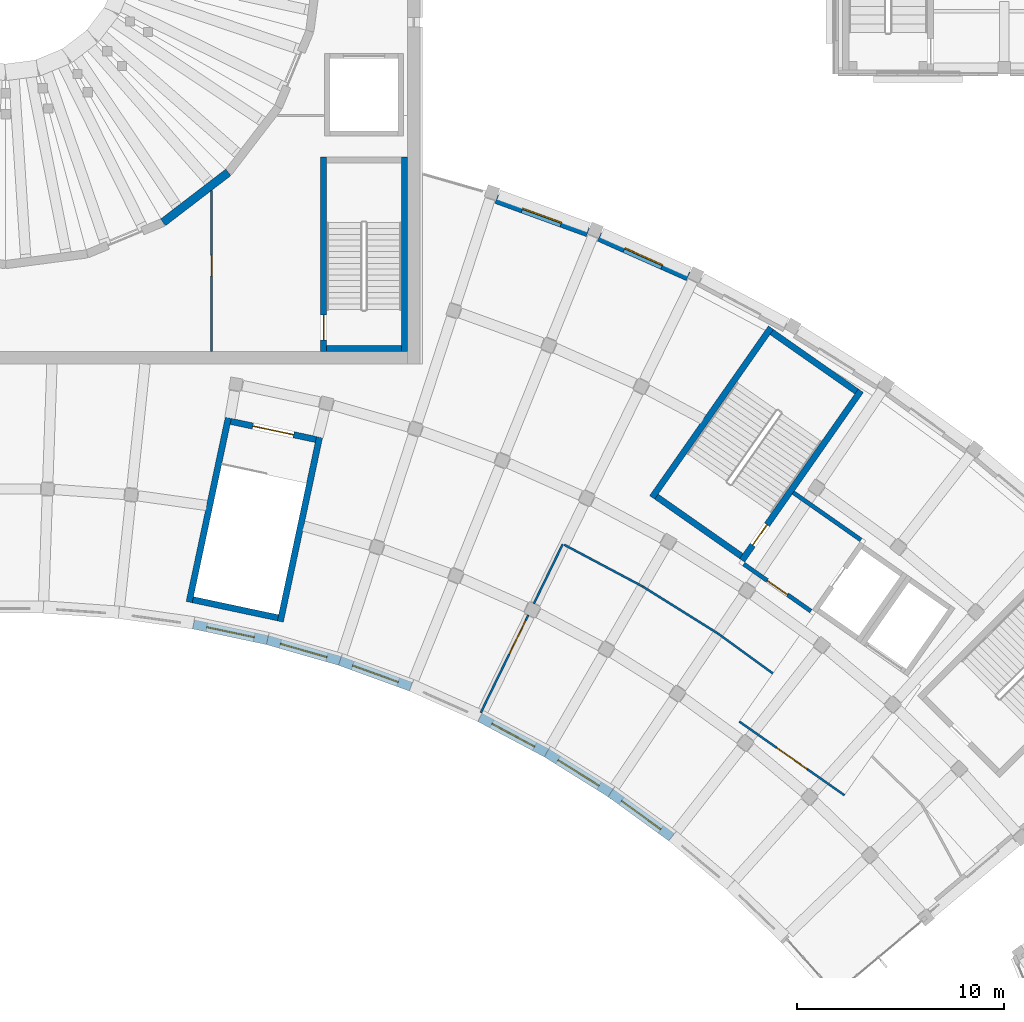
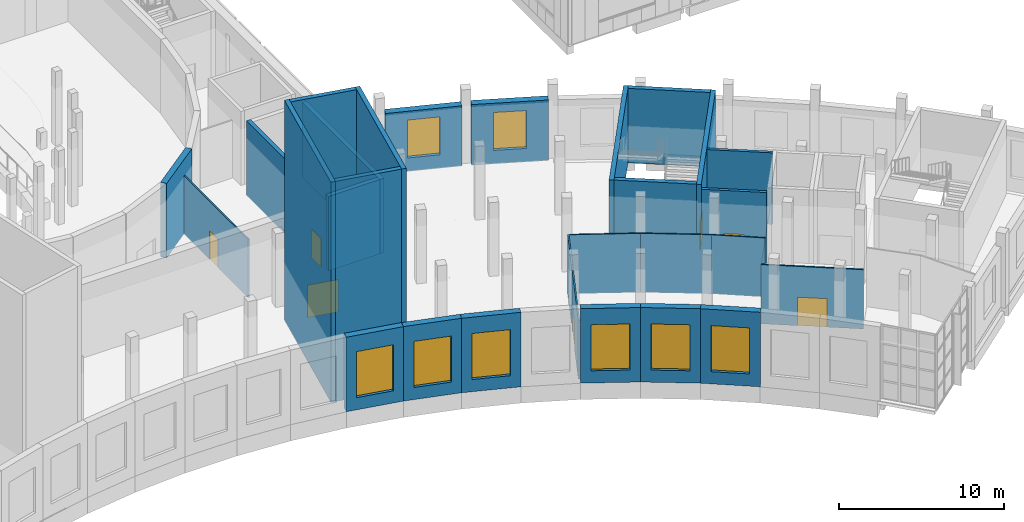
# One storey, part 34 of 87: 29 walls, 8 windows, 7 doors, 15 openings.
"""IFC4 building model written with IfcOpenShell, lengths in metres."""

from ifc_helpers import new_model, si_unit, direction, frame, frame_2d, origin, place, context, subcontext, project, spatial, rectangle, extrude, material, layer, layer_set, type_object, element, fill, save


model = new_model("IFC4")

# Units and contexts
model_context = context("Model", 3, precision=1e-05, world=origin(), true_north=direction((0.0, 1.0)))
body_context = subcontext(model_context, "Body", "Model", "MODEL_VIEW")
ifc_project = project(units=[si_unit("LENGTHUNIT", "METRE"), si_unit("AREAUNIT", "SQUARE_METRE"), si_unit("VOLUMEUNIT", "CUBIC_METRE"), si_unit("PLANEANGLEUNIT", "RADIAN"), si_unit("MASSUNIT", "GRAM", prefix="KILO")], contexts=[model_context])

# Site, building, storey
site_placement = place(None, origin())
site = spatial("IfcSite", under=ifc_project, at=site_placement, CompositionType="ELEMENT")
building_placement = place(site_placement, origin())
building = spatial("IfcBuilding", under=site, at=building_placement, Name="Lunette Opera House", CompositionType="ELEMENT")
storey_placement = place(building_placement, frame((0.0, 0.0, 11.5)))
storey = spatial("IfcBuildingStorey", under=building, at=storey_placement, Name="L02", CompositionType="ELEMENT", Elevation=11.5)

# Wall, opening, window
ifc_material_1 = material(Name="Clinker brick", Category="masonry")
ifc_layer_1 = layer(ifc_material_1, 0.449951171875)
ifc_layer_set_1 = layer_set([ifc_layer_1], Name="Clinker brick")
wall_type_1 = type_object("IfcWallType", Name="ARM RAIN SCREEN WALL 450", PredefinedType="SOLIDWALL", material=ifc_layer_set_1)
wall_1_placement = place(storey_placement, frame((119.697998046875, 71.962890625, 0.0), z_axis=(0.0, 0.0, 1.0), x_axis=(0.939752366856, -0.341855947715, 0.0)))
wall_1 = element("IfcWall", 1, at=wall_1_placement, inside=storey, type_object=wall_type_1, Name="Arm Rain Screen Wall 450 BW-CE01 L02", PredefinedType="SOLIDWALL", context=body_context, shape_type="SweptSolid", body=[
    extrude(rectangle(XDim=4.6884765625, YDim=0.449951171875, at=frame_2d((2.34423828125, 0.0))), origin(), (0.0, 0.0, 1.0), 4.449951171875),
])
opening_1_placement = place(wall_1_placement, frame((1.343994140625, 0.0, 1.0)))
opening_1 = element("IfcOpeningElement", 2, at=opening_1_placement, cuts=wall_1, Name="Opening FC-N2144", PredefinedType="OPENING", context=body_context, shape_type="SweptSolid", body=[
    extrude(rectangle(XDim=2.0, YDim=2.800048828125, at=frame_2d((1.0, 1.39990234375))), frame((0.0, 0.237060546875, 0.0), z_axis=(0.0, -1.0, 0.0), x_axis=(1.0, 0.0, 0.0)), (0.0, 0.0, 1.0), 0.473876953125),
])
ifc_material_2 = material(Name="Aluminium", Category="aluminium")
window_type_1 = type_object("IfcWindowType", Name="ARM WINDOW 2000 X 2800", PartitioningType="DOUBLE_PANEL_VERTICAL", PredefinedType="WINDOW", material=ifc_material_2)
window_1_placement = place(opening_1_placement, origin())
window_1 = element("IfcWindow", 3, at=window_1_placement, inside=storey, type_object=window_type_1, Name="Arm Window 2000 X 2800 BW-CE01 L02", OverallHeight=2.800048828125, OverallWidth=2.0, PartitioningType="DOUBLE_PANEL_VERTICAL", PredefinedType="WINDOW", context=body_context, shape_type="SweptSolid", body=[
    extrude(rectangle(XDim=2.0, YDim=2.800048828125, at=frame_2d((1.0, 1.39990234375))), frame((0.0, 0.030029296875, 0.0), z_axis=(0.0, -1.0, 0.0), x_axis=(1.0, 0.0, 0.0)), (0.0, 0.0, 1.0), 0.06005859375),
])
fill(opening_1, window_1)

wall_2_placement = place(storey_placement, frame((124.659912109375, 70.135009765625, 0.0), z_axis=(0.0, 0.0, 1.0), x_axis=(0.913581686159, -0.406655262741, 0.0)))
wall_2 = element("IfcWall", 4, at=wall_2_placement, inside=storey, type_object=wall_type_1, Name="Arm Rain Screen Wall 450 BW-CE02 L02", PredefinedType="SOLIDWALL", context=body_context, shape_type="SweptSolid", body=[
    extrude(rectangle(XDim=4.689453125, YDim=0.449951171875, at=frame_2d((2.3447265625, 0.0))), origin(), (0.0, 0.0, 1.0), 4.47998046875),
])
opening_2_placement = place(wall_2_placement, frame((1.344970703125, 0.0, 1.0)))
opening_2 = element("IfcOpeningElement", 5, at=opening_2_placement, cuts=wall_2, Name="Opening FC-N2147", PredefinedType="OPENING", context=body_context, shape_type="SweptSolid", body=[
    extrude(rectangle(XDim=2.0, YDim=2.800048828125, at=frame_2d((1.0, 1.39990234375))), frame((0.0, 0.237060546875, 0.0), z_axis=(0.0, -1.0, 0.0), x_axis=(1.0, 0.0, 0.0)), (0.0, 0.0, 1.0), 0.473876953125),
])
window_2_placement = place(opening_2_placement, origin())
window_2 = element("IfcWindow", 6, at=window_2_placement, inside=storey, type_object=window_type_1, Name="Arm Window 2000 X 2800 BW-CE02 L02", OverallHeight=2.800048828125, OverallWidth=2.0, PartitioningType="DOUBLE_PANEL_VERTICAL", PredefinedType="WINDOW", context=body_context, shape_type="SweptSolid", body=[
    extrude(rectangle(XDim=2.0, YDim=2.800048828125, at=frame_2d((1.0, 1.39990234375))), frame((0.0, 0.030029296875, 0.0), z_axis=(0.0, -1.0, 0.0), x_axis=(1.0, 0.0, 0.0)), (0.0, 0.0, 1.0), 0.06005859375),
])
fill(opening_2, window_2)

ifc_material_3 = material(Name="Clinker brick", Category="masonry")
ifc_layer_2 = layer(ifc_material_3, 0.449951171875)
ifc_layer_set_2 = layer_set([ifc_layer_2], Name="Clinker brick")
wall_type_2 = type_object("IfcWallType", Name="CRESCENT BRICK WALL 450", PredefinedType="SOLIDWALL", material=ifc_layer_set_2)
wall_3_placement = place(storey_placement, frame((105.069091796875, 51.431884765625, 0.0), z_axis=(0.0, 0.0, 1.0), x_axis=(0.97814420729, -0.207927655077, 0.0)))
wall_3 = element("IfcWall", 7, at=wall_3_placement, inside=storey, type_object=wall_type_2, Name="Crescent Brick Wall 450 BW-A15 L02", PredefinedType="SOLIDWALL", context=body_context, shape_type="SweptSolid", body=[
    extrude(rectangle(XDim=3.64453125, YDim=0.449951171875, at=frame_2d((1.822265625, 0.0))), origin(), (0.0, 0.0, 1.0), 5.5),
])
opening_3_placement = place(wall_3_placement, frame((0.653076171875, 0.0, 0.89990234375)))
opening_3 = element("IfcOpeningElement", 8, at=opening_3_placement, cuts=wall_3, Name="Opening FC-N2043", PredefinedType="OPENING", context=body_context, shape_type="SweptSolid", body=[
    extrude(rectangle(XDim=2.340087890625, YDim=3.39990234375, at=frame_2d((1.169921875, 1.699951171875))), frame((0.0, 0.237060546875, 0.0), z_axis=(0.0, -1.0, 0.0), x_axis=(1.0, 0.0, 0.0)), (0.0, 0.0, 1.0), 0.473876953125),
])
ifc_material_4 = material(Name="Aluminium", Category="aluminium")
window_type_2 = type_object("IfcWindowType", Name="CHICAGO WINDOW 2340 X 3400", PartitioningType="TRIPLE_PANEL_VERTICAL", PredefinedType="WINDOW", material=ifc_material_4)
window_3_placement = place(opening_3_placement, origin())
window_3 = element("IfcWindow", 9, at=window_3_placement, inside=storey, type_object=window_type_2, Name="Chicago Window 2340 X 3400 BW-A15 L02", OverallHeight=3.39990234375, OverallWidth=2.340087890625, PartitioningType="TRIPLE_PANEL_VERTICAL", PredefinedType="WINDOW", context=body_context, shape_type="SweptSolid", body=[
    extrude(rectangle(XDim=2.340087890625, YDim=3.39990234375, at=frame_2d((1.169921875, 1.699951171875))), frame((0.0, 0.030029296875, 0.0), z_axis=(0.0, -1.0, 0.0), x_axis=(1.0, 0.0, 0.0)), (0.0, 0.0, 1.0), 0.06005859375),
])
fill(opening_3, window_3)

wall_4_placement = place(storey_placement, frame((108.634033203125, 50.674072265625, 0.0), z_axis=(0.0, 0.0, 1.0), x_axis=(0.961232761004, -0.275738243942, 0.0)))
wall_4 = element("IfcWall", 10, at=wall_4_placement, inside=storey, type_object=wall_type_2, Name="Crescent Brick Wall 450 BW-A16 L02", PredefinedType="SOLIDWALL", context=body_context, shape_type="SweptSolid", body=[
    extrude(rectangle(XDim=3.645263671875, YDim=0.449951171875, at=frame_2d((1.82275390625, 0.0))), origin(), (0.0, 0.0, 1.0), 5.5),
])
opening_4_placement = place(wall_4_placement, frame((0.653076171875, 0.0, 0.89990234375)))
opening_4 = element("IfcOpeningElement", 11, at=opening_4_placement, cuts=wall_4, Name="Opening FC-N2046", PredefinedType="OPENING", context=body_context, shape_type="SweptSolid", body=[
    extrude(rectangle(XDim=2.340087890625, YDim=3.39990234375, at=frame_2d((1.169921875, 1.699951171875))), frame((0.0, 0.237060546875, 0.0), z_axis=(0.0, -1.0, 0.0), x_axis=(1.0, 0.0, 0.0)), (0.0, 0.0, 1.0), 0.473876953125),
])
window_4_placement = place(opening_4_placement, origin())
window_4 = element("IfcWindow", 12, at=window_4_placement, inside=storey, type_object=window_type_2, Name="Chicago Window 2340 X 3400 BW-A16 L02", OverallHeight=3.39990234375, OverallWidth=2.340087890625, PartitioningType="TRIPLE_PANEL_VERTICAL", PredefinedType="WINDOW", context=body_context, shape_type="SweptSolid", body=[
    extrude(rectangle(XDim=2.340087890625, YDim=3.39990234375, at=frame_2d((1.169921875, 1.699951171875))), frame((0.0, 0.030029296875, 0.0), z_axis=(0.0, -1.0, 0.0), x_axis=(1.0, 0.0, 0.0)), (0.0, 0.0, 1.0), 0.06005859375),
])
fill(opening_4, window_4)

wall_5_placement = place(storey_placement, frame((112.137939453125, 49.6689453125, 0.0), z_axis=(0.0, 0.0, 1.0), x_axis=(0.939705410483, -0.341985001877, 0.0)))
wall_5 = element("IfcWall", 13, at=wall_5_placement, inside=storey, type_object=wall_type_2, Name="Crescent Brick Wall 450 BW-A17 L02", PredefinedType="SOLIDWALL", context=body_context, shape_type="SweptSolid", body=[
    extrude(rectangle(XDim=3.645751953125, YDim=0.449951171875, at=frame_2d((1.82275390625, 0.0))), origin(), (0.0, 0.0, 1.0), 5.5),
])
opening_5_placement = place(wall_5_placement, frame((0.653076171875, 0.0, 0.89990234375)))
opening_5 = element("IfcOpeningElement", 14, at=opening_5_placement, cuts=wall_5, Name="Opening FC-N2049", PredefinedType="OPENING", context=body_context, shape_type="SweptSolid", body=[
    extrude(rectangle(XDim=2.340087890625, YDim=3.39990234375, at=frame_2d((1.169921875, 1.699951171875))), frame((0.0, 0.237060546875, 0.0), z_axis=(0.0, -1.0, 0.0), x_axis=(1.0, 0.0, 0.0)), (0.0, 0.0, 1.0), 0.473876953125),
])
window_5_placement = place(opening_5_placement, origin())
window_5 = element("IfcWindow", 15, at=window_5_placement, inside=storey, type_object=window_type_2, Name="Chicago Window 2340 X 3400 BW-A17 L02", OverallHeight=3.39990234375, OverallWidth=2.340087890625, PartitioningType="TRIPLE_PANEL_VERTICAL", PredefinedType="WINDOW", context=body_context, shape_type="SweptSolid", body=[
    extrude(rectangle(XDim=2.340087890625, YDim=3.39990234375, at=frame_2d((1.169921875, 1.699951171875))), frame((0.0, 0.030029296875, 0.0), z_axis=(0.0, -1.0, 0.0), x_axis=(1.0, 0.0, 0.0)), (0.0, 0.0, 1.0), 0.06005859375),
])
fill(opening_5, window_5)

wall_6_placement = place(storey_placement, frame((118.89404296875, 46.93994140625, 0.0), z_axis=(0.0, 0.0, 1.0), x_axis=(0.882849344925, -0.469656293651, 0.0)))
wall_6 = element("IfcWall", 16, at=wall_6_placement, inside=storey, type_object=wall_type_2, Name="Crescent Brick Wall 450 BW-A19 L02", PredefinedType="SOLIDWALL", context=body_context, shape_type="SweptSolid", body=[
    extrude(rectangle(XDim=3.64501953125, YDim=0.449951171875, at=frame_2d((1.822509765625, 0.0))), origin(), (0.0, 0.0, 1.0), 5.5),
])
opening_6_placement = place(wall_6_placement, frame((0.653076171875, 0.0, 0.89990234375)))
opening_6 = element("IfcOpeningElement", 17, at=opening_6_placement, cuts=wall_6, Name="Opening FC-N2055", PredefinedType="OPENING", context=body_context, shape_type="SweptSolid", body=[
    extrude(rectangle(XDim=2.340087890625, YDim=3.39990234375, at=frame_2d((1.169921875, 1.699951171875))), frame((0.0, 0.237060546875, 0.0), z_axis=(0.0, -1.0, 0.0), x_axis=(1.0, 0.0, 0.0)), (0.0, 0.0, 1.0), 0.473876953125),
])
window_6_placement = place(opening_6_placement, origin())
window_6 = element("IfcWindow", 18, at=window_6_placement, inside=storey, type_object=window_type_2, Name="Chicago Window 2340 X 3400 BW-A19 L02", OverallHeight=3.39990234375, OverallWidth=2.340087890625, PartitioningType="TRIPLE_PANEL_VERTICAL", PredefinedType="WINDOW", context=body_context, shape_type="SweptSolid", body=[
    extrude(rectangle(XDim=2.340087890625, YDim=3.39990234375, at=frame_2d((1.169921875, 1.699951171875))), frame((0.0, 0.030029296875, 0.0), z_axis=(0.0, -1.0, 0.0), x_axis=(1.0, 0.0, 0.0)), (0.0, 0.0, 1.0), 0.06005859375),
])
fill(opening_6, window_6)

wall_7_placement = place(storey_placement, frame((122.112060546875, 45.22802734375, 0.0), z_axis=(0.0, 0.0, 1.0), x_axis=(0.848047203697, -0.529920692464, 0.0)))
wall_7 = element("IfcWall", 19, at=wall_7_placement, inside=storey, type_object=wall_type_2, Name="Crescent Brick Wall 450 BW-A20 L02", PredefinedType="SOLIDWALL", context=body_context, shape_type="SweptSolid", body=[
    extrude(rectangle(XDim=3.64599609375, YDim=0.449951171875, at=frame_2d((1.822998046875, 0.0))), origin(), (0.0, 0.0, 1.0), 5.5),
])
opening_7_placement = place(wall_7_placement, frame((0.653076171875, 0.0, 0.89990234375)))
opening_7 = element("IfcOpeningElement", 20, at=opening_7_placement, cuts=wall_7, Name="Opening FC-N2058", PredefinedType="OPENING", context=body_context, shape_type="SweptSolid", body=[
    extrude(rectangle(XDim=2.340087890625, YDim=3.39990234375, at=frame_2d((1.169921875, 1.699951171875))), frame((0.0, 0.237060546875, 0.0), z_axis=(0.0, -1.0, 0.0), x_axis=(1.0, 0.0, 0.0)), (0.0, 0.0, 1.0), 0.473876953125),
])
window_7_placement = place(opening_7_placement, origin())
window_7 = element("IfcWindow", 21, at=window_7_placement, inside=storey, type_object=window_type_2, Name="Chicago Window 2340 X 3400 BW-A20 L02", OverallHeight=3.39990234375, OverallWidth=2.340087890625, PartitioningType="TRIPLE_PANEL_VERTICAL", PredefinedType="WINDOW", context=body_context, shape_type="SweptSolid", body=[
    extrude(rectangle(XDim=2.340087890625, YDim=3.39990234375, at=frame_2d((1.169921875, 1.699951171875))), frame((0.0, 0.030029296875, 0.0), z_axis=(0.0, -1.0, 0.0), x_axis=(1.0, 0.0, 0.0)), (0.0, 0.0, 1.0), 0.06005859375),
])
fill(opening_7, window_7)

wall_8_placement = place(storey_placement, frame((125.2041015625, 43.2958984375, 0.0), z_axis=(0.0, 0.0, 1.0), x_axis=(0.809109587744, -0.58765778734, 0.0)))
wall_8 = element("IfcWall", 22, at=wall_8_placement, inside=storey, type_object=wall_type_2, Name="Crescent Brick Wall 450 BW-A21 L02", PredefinedType="SOLIDWALL", context=body_context, shape_type="SweptSolid", body=[
    extrude(rectangle(XDim=3.644775390625, YDim=0.449951171875, at=frame_2d((1.822265625, 0.0))), origin(), (0.0, 0.0, 1.0), 5.5),
])
opening_8_placement = place(wall_8_placement, frame((0.653076171875, 0.0, 0.89990234375)))
opening_8 = element("IfcOpeningElement", 23, at=opening_8_placement, cuts=wall_8, Name="Opening FC-N2061", PredefinedType="OPENING", context=body_context, shape_type="SweptSolid", body=[
    extrude(rectangle(XDim=2.340087890625, YDim=3.39990234375, at=frame_2d((1.169921875, 1.699951171875))), frame((0.0, 0.237060546875, 0.0), z_axis=(0.0, -1.0, 0.0), x_axis=(1.0, 0.0, 0.0)), (0.0, 0.0, 1.0), 0.473876953125),
])
window_8_placement = place(opening_8_placement, origin())
window_8 = element("IfcWindow", 24, at=window_8_placement, inside=storey, type_object=window_type_2, Name="Chicago Window 2340 X 3400 BW-A21 L02", OverallHeight=3.39990234375, OverallWidth=2.340087890625, PartitioningType="TRIPLE_PANEL_VERTICAL", PredefinedType="WINDOW", context=body_context, shape_type="SweptSolid", body=[
    extrude(rectangle(XDim=2.340087890625, YDim=3.39990234375, at=frame_2d((1.169921875, 1.699951171875))), frame((0.0, 0.030029296875, 0.0), z_axis=(0.0, -1.0, 0.0), x_axis=(1.0, 0.0, 0.0)), (0.0, 0.0, 1.0), 0.06005859375),
])
fill(opening_8, window_8)

# Wall, opening, door
ifc_material_5 = material(Name="Concrete C35/45", Category="concrete")
ifc_layer_3 = layer(ifc_material_5, 0.199951171875)
ifc_layer_set_3 = layer_set([ifc_layer_3], Name="Concrete C35/45")
wall_type_3 = type_object("IfcWallType", Name="LOBBY WALL 200", PredefinedType="PARTITIONING", material=ifc_layer_set_3)
wall_9_placement = place(storey_placement, frame((131.632080078125, 54.340087890625, 0.0), z_axis=(0.0, 0.0, 1.0), x_axis=(0.81911891796, -0.573623742744, 0.0)))
wall_9 = element("IfcWall", 25, at=wall_9_placement, inside=storey, type_object=wall_type_3, Name="FL1 lobby wall 1a", PredefinedType="PARTITIONING", context=body_context, shape_type="SweptSolid", body=[
    extrude(rectangle(XDim=3.958984375, YDim=0.199951171875, at=frame_2d((1.9794921875, 0.0))), origin(), (0.0, 0.0, 1.0), 5.280029296875),
])
opening_9_placement = place(wall_9_placement, frame((1.3798828125, 0.0, 0.0)))
opening_9 = element("IfcOpeningElement", 26, at=opening_9_placement, cuts=wall_9, Name="Opening FC-D7040", PredefinedType="OPENING", context=body_context, shape_type="SweptSolid", body=[
    extrude(rectangle(XDim=1.199951171875, YDim=2.10009765625, at=frame_2d((0.60009765625, 1.050048828125))), frame((0.0, 0.112060546875, 0.0), z_axis=(0.0, -1.0, 0.0), x_axis=(1.0, 0.0, 0.0)), (0.0, 0.0, 1.0), 0.223876953125),
])
ifc_material_6 = material(Name="Steel", Category="steel")
door_type_1 = type_object("IfcDoorType", Name="FIRE DOOR 1200 X 2100", OperationType="SINGLE_SWING_LEFT", PredefinedType="DOOR", material=ifc_material_6)
door_1_placement = place(opening_9_placement, origin())
door_1 = element("IfcDoor", 27, at=door_1_placement, inside=storey, type_object=door_type_1, Name="FL1 lobby door", OperationType="SINGLE_SWING_LEFT", OverallHeight=2.10009765625, OverallWidth=1.199951171875, PredefinedType="DOOR", context=body_context, shape_type="SweptSolid", body=[
    extrude(rectangle(XDim=1.199951171875, YDim=2.10009765625, at=frame_2d((0.60009765625, 1.050048828125))), frame((0.0, 0.02490234375, 0.0), z_axis=(0.0, -1.0, 0.0), x_axis=(1.0, 0.0, 0.0)), (0.0, 0.0, 1.0), 0.050048828125),
])
fill(opening_9, door_1)

# Walls
wall_10_placement = place(storey_placement, frame((137.284912109375, 55.508056640625, 0.0), z_axis=(0.0, 0.0, 1.0), x_axis=(-0.819125561737, 0.573614255497, 0.0)))
element("IfcWall", 28, at=wall_10_placement, inside=storey, type_object=wall_type_3, Name="FL1 lobby wall 3a", PredefinedType="PARTITIONING", context=body_context, shape_type="SweptSolid", body=[
    extrude(rectangle(XDim=3.990478515625, YDim=0.199951171875, at=frame_2d((1.9951171875, 0.0))), origin(), (0.0, 0.0, 1.0), 5.280029296875),
])
ifc_material_7 = material(Name="Concrete C35/45", Category="concrete")
ifc_layer_4 = layer(ifc_material_7, 0.300048828125)
ifc_layer_set_4 = layer_set([ifc_layer_4], Name="Concrete C35/45")
wall_type_4 = type_object("IfcWallType", Name="RC STAIR ENCLOSURE WALL 300", PredefinedType="SOLIDWALL", material=ifc_layer_set_4)
wall_11_placement = place(storey_placement, frame((105.0380859375, 52.6201171875, 0.0), z_axis=(0.0, 0.0, 1.0), x_axis=(0.978153236239, -0.207885176084, 0.0)))
element("IfcWall", 29, at=wall_11_placement, inside=storey, type_object=wall_type_4, Name="GS2 enclosure wall 1", PredefinedType="SOLIDWALL", context=body_context, shape_type="SweptSolid", body=[
    extrude(rectangle(XDim=4.19970703125, YDim=0.300048828125, at=frame_2d((2.099853515625, 0.0))), origin(), (0.0, 0.0, 1.0), 16.25),
])
wall_12_placement = place(storey_placement, frame((109.260986328125, 51.569091796875, 0.0), z_axis=(0.0, 0.0, 1.0), x_axis=(0.207905598736, 0.978148895626, 0.0)))
element("IfcWall", 30, at=wall_12_placement, inside=storey, type_object=wall_type_4, Name="GS2 enclosure wall 2", PredefinedType="SOLIDWALL", context=body_context, shape_type="SweptSolid", body=[
    extrude(rectangle(XDim=9.100830078125, YDim=0.300048828125, at=frame_2d((4.55029296875, 0.0))), origin(), (0.0, 0.0, 1.0), 16.25),
])

# Wall, opening, door
wall_13_placement = place(storey_placement, frame((110.97509765625, 60.35595703125, 0.0), z_axis=(0.0, 0.0, 1.0), x_axis=(-0.978155748334, 0.207873355681, 0.0)))
wall_13 = element("IfcWall", 31, at=wall_13_placement, inside=storey, type_object=wall_type_4, Name="GS2 enclosure wall 3", PredefinedType="SOLIDWALL", context=body_context, shape_type="SweptSolid", body=[
    extrude(rectangle(XDim=4.199951171875, YDim=0.300048828125, at=frame_2d((2.10009765625, 0.0))), origin(), (0.0, 0.0, 1.0), 16.25),
])
opening_10_placement = place(wall_13_placement, frame((1.10009765625, 0.0, 0.0)))
opening_10 = element("IfcOpeningElement", 32, at=opening_10_placement, cuts=wall_13, Name="Opening FC-D7006", PredefinedType="OPENING", context=body_context, shape_type="SweptSolid", body=[
    extrude(rectangle(XDim=2.0, YDim=2.39990234375, at=frame_2d((1.0, 1.199951171875))), frame((0.0, 0.162109375, 0.0), z_axis=(0.0, -1.0, 0.0), x_axis=(1.0, 0.0, 0.0)), (0.0, 0.0, 1.0), 0.323974609375),
])
ifc_material_8 = material(Name="Glass", Category="glass")
door_type_2 = type_object("IfcDoorType", Name="GRAND STAIR DOOR 2000 X 2400", OperationType="DOUBLE_DOOR_SINGLE_SWING", PredefinedType="DOOR", material=ifc_material_8)
door_2_placement = place(opening_10_placement, origin())
door_2 = element("IfcDoor", 33, at=door_2_placement, inside=storey, type_object=door_type_2, Name="GS2 stair door", OperationType="DOUBLE_DOOR_SINGLE_SWING", OverallHeight=2.39990234375, OverallWidth=2.0, PredefinedType="DOOR", context=body_context, shape_type="SweptSolid", body=[
    extrude(rectangle(XDim=2.0, YDim=2.39990234375, at=frame_2d((1.0, 1.199951171875))), frame((0.0, 0.02490234375, 0.0), z_axis=(0.0, -1.0, 0.0), x_axis=(1.0, 0.0, 0.0)), (0.0, 0.0, 1.0), 0.050048828125),
])
fill(opening_10, door_2)

# Walls
wall_14_placement = place(storey_placement, frame((106.751953125, 61.406982421875, 0.0), z_axis=(0.0, 0.0, 1.0), x_axis=(-0.207874476801, -0.978155510077, 0.0)))
element("IfcWall", 34, at=wall_14_placement, inside=storey, type_object=wall_type_4, Name="GS2 enclosure wall 4", PredefinedType="SOLIDWALL", context=body_context, shape_type="SweptSolid", body=[
    extrude(rectangle(XDim=9.100830078125, YDim=0.300048828125, at=frame_2d((4.55029296875, 0.0))), origin(), (0.0, 0.0, 1.0), 16.25),
])
wall_15_placement = place(storey_placement, frame((127.41796875, 57.595947265625, 0.0), z_axis=(0.0, 0.0, 1.0), x_axis=(0.819096538389, -0.573655698829, 0.0)))
element("IfcWall", 35, at=wall_15_placement, inside=storey, type_object=wall_type_4, Name="ST3 enclosure wall 1", PredefinedType="SOLIDWALL", context=body_context, shape_type="SweptSolid", body=[
    extrude(rectangle(XDim=4.999267578125, YDim=0.300048828125, at=frame_2d((2.49951171875, 0.0))), origin(), (0.0, 0.0, 1.0), 5.5),
])

# Wall, opening, door
wall_16_placement = place(storey_placement, frame((131.550048828125, 54.51904296875, 0.0), z_axis=(0.0, 0.0, 1.0), x_axis=(0.573563925118, 0.819160804606, 0.0)))
wall_16 = element("IfcWall", 36, at=wall_16_placement, inside=storey, type_object=wall_type_4, Name="ST3 enclosure wall 2", PredefinedType="SOLIDWALL", context=body_context, shape_type="SweptSolid", body=[
    extrude(rectangle(XDim=10.000244140625, YDim=0.300048828125, at=frame_2d((5.0, 0.0))), origin(), (0.0, 0.0, 1.0), 5.5),
])
opening_11_placement = place(wall_16_placement, frame((0.89990234375, 0.0, 0.0)))
opening_11 = element("IfcOpeningElement", 37, at=opening_11_placement, cuts=wall_16, Name="Opening FC-D7022", PredefinedType="OPENING", context=body_context, shape_type="SweptSolid", body=[
    extrude(rectangle(XDim=1.199951171875, YDim=2.10009765625, at=frame_2d((0.60009765625, 1.050048828125))), frame((0.0, 0.162109375, 0.0), z_axis=(0.0, -1.0, 0.0), x_axis=(1.0, 0.0, 0.0)), (0.0, 0.0, 1.0), 0.323974609375),
])
door_3_placement = place(opening_11_placement, origin())
door_3 = element("IfcDoor", 38, at=door_3_placement, inside=storey, type_object=door_type_1, Name="ST3 stair door", OperationType="SINGLE_SWING_LEFT", OverallHeight=2.10009765625, OverallWidth=1.199951171875, PredefinedType="DOOR", context=body_context, shape_type="SweptSolid", body=[
    extrude(rectangle(XDim=1.199951171875, YDim=2.10009765625, at=frame_2d((0.60009765625, 1.050048828125))), frame((0.0, 0.02490234375, 0.0), z_axis=(0.0, -1.0, 0.0), x_axis=(1.0, 0.0, 0.0)), (0.0, 0.0, 1.0), 0.050048828125),
])
fill(opening_11, door_3)

# Walls
wall_17_placement = place(storey_placement, frame((137.076904296875, 62.674072265625, 0.0), z_axis=(0.0, 0.0, 1.0), x_axis=(-0.819160804606, 0.573563925118, 0.0)))
element("IfcWall", 39, at=wall_17_placement, inside=storey, type_object=wall_type_4, Name="ST3 enclosure wall 3", PredefinedType="SOLIDWALL", context=body_context, shape_type="SweptSolid", body=[
    extrude(rectangle(XDim=5.000244140625, YDim=0.300048828125, at=frame_2d((2.5, 0.0))), origin(), (0.0, 0.0, 1.0), 5.5),
])
wall_18_placement = place(storey_placement, frame((132.944091796875, 65.7509765625, 0.0), z_axis=(0.0, 0.0, 1.0), x_axis=(-0.573514776444, -0.819195215563, 0.0)))
element("IfcWall", 40, at=wall_18_placement, inside=storey, type_object=wall_type_4, Name="ST3 enclosure wall 4", PredefinedType="SOLIDWALL", context=body_context, shape_type="SweptSolid", body=[
    extrude(rectangle(XDim=10.0, YDim=0.300048828125, at=frame_2d((5.0, 0.0))), origin(), (0.0, 0.0, 1.0), 5.5),
])
wall_19_placement = place(storey_placement, frame((115.25, 64.60009765625, 0.0), z_axis=(0.0, 0.0, 1.0), x_axis=(0.0, 1.0, 0.0)))
element("IfcWall", 41, at=wall_19_placement, inside=storey, type_object=wall_type_4, Name="ST8 enclosure wall 1", PredefinedType="SOLIDWALL", context=body_context, shape_type="SweptSolid", body=[
    extrude(rectangle(XDim=9.39990234375, YDim=0.300048828125, at=frame_2d((4.699951171875, 0.0))), origin(), (0.0, 0.0, 1.0), 5.5),
])

# Wall, opening, door
wall_20_placement = place(storey_placement, frame((111.35009765625, 74.0, 0.0), z_axis=(0.0, 0.0, 1.0), x_axis=(0.0, -1.0, 0.0)))
wall_20 = element("IfcWall", 42, at=wall_20_placement, inside=storey, type_object=wall_type_4, Name="ST8 enclosure wall 3", PredefinedType="SOLIDWALL", context=body_context, shape_type="SweptSolid", body=[
    extrude(rectangle(XDim=9.39990234375, YDim=0.300048828125, at=frame_2d((4.699951171875, 0.0))), origin(), (0.0, 0.0, 1.0), 5.5),
])
opening_12_placement = place(wall_20_placement, frame((7.639892578125, 0.0, 0.0)))
opening_12 = element("IfcOpeningElement", 43, at=opening_12_placement, cuts=wall_20, Name="Opening AU-D7016", PredefinedType="OPENING", context=body_context, shape_type="SweptSolid", body=[
    extrude(rectangle(XDim=1.199951171875, YDim=2.10009765625, at=frame_2d((0.60009765625, 1.050048828125))), frame((0.0, 0.162109375, 0.0), z_axis=(0.0, -1.0, 0.0), x_axis=(1.0, 0.0, 0.0)), (0.0, 0.0, 1.0), 0.323974609375),
])
door_4_placement = place(opening_12_placement, origin())
door_4 = element("IfcDoor", 44, at=door_4_placement, inside=storey, type_object=door_type_1, Name="ST8 stair door", OperationType="SINGLE_SWING_LEFT", OverallHeight=2.10009765625, OverallWidth=1.199951171875, PredefinedType="DOOR", context=body_context, shape_type="SweptSolid", body=[
    extrude(rectangle(XDim=1.199951171875, YDim=2.10009765625, at=frame_2d((0.60009765625, 1.050048828125))), frame((0.0, 0.02490234375, 0.0), z_axis=(0.0, -1.0, 0.0), x_axis=(1.0, 0.0, 0.0)), (0.0, 0.0, 1.0), 0.050048828125),
])
fill(opening_12, door_4)

# Walls
wall_21_placement = place(storey_placement, frame((111.5, 64.75, 0.0), z_axis=(0.0, 0.0, 1.0), x_axis=(1.0, 0.0, 0.0)))
element("IfcWall", 45, at=wall_21_placement, inside=storey, type_object=wall_type_4, Name="ST8 enclosure wall 4", PredefinedType="SOLIDWALL", context=body_context, shape_type="SweptSolid", body=[
    extrude(rectangle(XDim=3.60009765625, YDim=0.300048828125, at=frame_2d((1.800048828125, 0.0))), origin(), (0.0, 0.0, 1.0), 5.5),
])
ifc_material_9 = material(Name="Concrete C35/45", Category="concrete")
ifc_layer_5 = layer(ifc_material_9, 0.39990234375)
ifc_layer_set_5 = layer_set([ifc_layer_5], Name="Concrete C35/45")
wall_type_5 = type_object("IfcWallType", Name="RC WALL 400", PredefinedType="SHEAR", material=ifc_layer_set_5)
wall_22_placement = place(storey_placement, frame((103.60107421875, 70.8349609375, 0.0), z_axis=(0.0, 0.0, 1.0), x_axis=(0.793501388766, 0.608568439888, 0.0)))
element("IfcWall", 46, at=wall_22_placement, inside=storey, type_object=wall_type_5, Name="wall-AU-L02-HW10", PredefinedType="SHEAR", context=body_context, shape_type="SweptSolid", body=[
    extrude(rectangle(XDim=3.968505859375, YDim=0.39990234375, at=frame_2d((1.984375, 0.0))), origin(), (0.0, 0.0, 1.0), 5.5),
])

# Wall, opening, door
ifc_material_10 = material(Name="Gypsum board on steel studs", Category="steel")
ifc_layer_6 = layer(ifc_material_10, 0.10009765625)
ifc_layer_set_6 = layer_set([ifc_layer_6], Name="Gypsum board on steel studs")
wall_type_6 = type_object("IfcWallType", Name="STUD PARTITION 100", PredefinedType="PARTITIONING", material=ifc_layer_set_6)
wall_23_placement = place(storey_placement, frame((118.93701171875, 47.16796875, 0.0), z_axis=(0.0, 0.0, 1.0), x_axis=(0.437496207586, 0.899220255748, 0.0)))
wall_23 = element("IfcWall", 47, at=wall_23_placement, inside=storey, type_object=wall_type_6, Name="Partition Grand Tier Foyer", PredefinedType="PARTITIONING", context=body_context, shape_type="SweptSolid", body=[
    extrude(rectangle(XDim=5.25, YDim=0.10009765625, at=frame_2d((2.625, 0.0))), origin(), (0.0, 0.0, 1.0), 4.35009765625),
])
opening_13_placement = place(wall_23_placement, frame((3.14892578125, 0.0, 0.0)))
opening_13 = element("IfcOpeningElement", 48, at=opening_13_placement, cuts=wall_23, Name="Opening FC-D3033", PredefinedType="OPENING", context=body_context, shape_type="SweptSolid", body=[
    extrude(rectangle(XDim=1.800048828125, YDim=2.10009765625, at=frame_2d((0.89990234375, 1.050048828125))), frame((0.0, 0.06201171875, 0.0), z_axis=(0.0, -1.0, 0.0), x_axis=(1.0, 0.0, 0.0)), (0.0, 0.0, 1.0), 0.1240234375),
])
ifc_material_11 = material(Name="Timber", Category="wood")
door_type_3 = type_object("IfcDoorType", Name="DOUBLE FLUSH DOOR 1800 X 2100", OperationType="DOUBLE_DOOR_SINGLE_SWING", PredefinedType="DOOR", material=ifc_material_11)
door_5_placement = place(opening_13_placement, origin())
door_5 = element("IfcDoor", 49, at=door_5_placement, inside=storey, type_object=door_type_3, Name="Grand Tier Bar door", OperationType="DOUBLE_DOOR_SINGLE_SWING", OverallHeight=2.10009765625, OverallWidth=1.800048828125, PredefinedType="DOOR", context=body_context, shape_type="SweptSolid", body=[
    extrude(rectangle(XDim=1.800048828125, YDim=2.10009765625, at=frame_2d((0.89990234375, 1.050048828125))), frame((0.0, 0.02490234375, 0.0), z_axis=(0.0, -1.0, 0.0), x_axis=(1.0, 0.0, 0.0)), (0.0, 0.0, 1.0), 0.050048828125),
])
fill(opening_13, door_5)

# Wall
wall_24_placement = place(storey_placement, frame((121.4970703125, 52.429931640625, 0.0), z_axis=(0.0, 0.0, 1.0), x_axis=(0.437288794169, 0.89932113869, 0.0)))
element("IfcWall", 50, at=wall_24_placement, inside=storey, type_object=wall_type_6, Name="Partition Grand Tier Foyer", PredefinedType="PARTITIONING", context=body_context, shape_type="SweptSolid", body=[
    extrude(rectangle(XDim=3.19677734375, YDim=0.10009765625, at=frame_2d((1.598388671875, 0.0))), origin(), (0.0, 0.0, 1.0), 4.35009765625),
])

# Wall, opening, door
wall_25_placement = place(storey_placement, frame((105.945068359375, 72.3798828125, 0.0), z_axis=(0.0, 0.0, 1.0), x_axis=(0.0, -1.0, 0.0)))
wall_25 = element("IfcWall", 51, at=wall_25_placement, inside=storey, type_object=wall_type_6, Name="Partition Surtitle and Lighting Gallery", PredefinedType="PARTITIONING", context=body_context, shape_type="SweptSolid", body=[
    extrude(rectangle(XDim=7.77978515625, YDim=0.10009765625, at=frame_2d((3.889892578125, 0.0))), origin(), (0.0, 0.0, 1.0), 4.300048828125),
])
opening_14_placement = place(wall_25_placement, frame((3.136962890625, 0.0, 0.0)))
opening_14 = element("IfcOpeningElement", 52, at=opening_14_placement, cuts=wall_25, Name="Opening AU-D3011", PredefinedType="OPENING", context=body_context, shape_type="SweptSolid", body=[
    extrude(rectangle(XDim=1.0, YDim=2.10009765625, at=frame_2d((0.5, 1.050048828125))), frame((0.0, 0.06201171875, 0.0), z_axis=(0.0, -1.0, 0.0), x_axis=(1.0, 0.0, 0.0)), (0.0, 0.0, 1.0), 0.1240234375),
])
ifc_material_12 = material(Name="Timber", Category="wood")
door_type_4 = type_object("IfcDoorType", Name="FLUSH DOOR 1000 X 2100", OperationType="SINGLE_SWING_LEFT", PredefinedType="DOOR", material=ifc_material_12)
door_6_placement = place(opening_14_placement, origin())
door_6 = element("IfcDoor", 53, at=door_6_placement, inside=storey, type_object=door_type_4, Name="Surtitle and Lighting Gallery door", OperationType="SINGLE_SWING_LEFT", OverallHeight=2.10009765625, OverallWidth=1.0, PredefinedType="DOOR", context=body_context, shape_type="SweptSolid", body=[
    extrude(rectangle(XDim=1.0, YDim=2.10009765625, at=frame_2d((0.5, 1.050048828125))), frame((0.0, 0.02490234375, 0.0), z_axis=(0.0, -1.0, 0.0), x_axis=(1.0, 0.0, 0.0)), (0.0, 0.0, 1.0), 0.050048828125),
])
fill(opening_14, door_6)

wall_26_placement = place(storey_placement, frame((131.4140625, 46.739990234375, 0.0), z_axis=(0.0, 0.0, 1.0), x_axis=(0.81912644488, -0.573612994359, 0.0)))
wall_26 = element("IfcWall", 54, at=wall_26_placement, inside=storey, type_object=wall_type_6, Name="Partition Open Lift Lobby L02 East", PredefinedType="PARTITIONING", context=body_context, shape_type="SweptSolid", body=[
    extrude(rectangle(XDim=6.19921875, YDim=0.10009765625, at=frame_2d((3.099609375, 0.0))), origin(), (0.0, 0.0, 1.0), 4.3798828125),
])
opening_15_placement = place(wall_26_placement, frame((2.199951171875, 0.0, 0.0)))
opening_15 = element("IfcOpeningElement", 55, at=opening_15_placement, cuts=wall_26, Name="Opening FC-D3034", PredefinedType="OPENING", context=body_context, shape_type="SweptSolid", body=[
    extrude(rectangle(XDim=1.800048828125, YDim=2.10009765625, at=frame_2d((0.89990234375, 1.050048828125))), frame((0.0, 0.06201171875, 0.0), z_axis=(0.0, -1.0, 0.0), x_axis=(1.0, 0.0, 0.0)), (0.0, 0.0, 1.0), 0.1240234375),
])
door_7_placement = place(opening_15_placement, origin())
door_7 = element("IfcDoor", 56, at=door_7_placement, inside=storey, type_object=door_type_3, Name="Grand Tier Bar door", OperationType="DOUBLE_DOOR_SINGLE_SWING", OverallHeight=2.10009765625, OverallWidth=1.800048828125, PredefinedType="DOOR", context=body_context, shape_type="SweptSolid", body=[
    extrude(rectangle(XDim=1.800048828125, YDim=2.10009765625, at=frame_2d((0.89990234375, 1.050048828125))), frame((0.0, 0.02490234375, 0.0), z_axis=(0.0, -1.0, 0.0), x_axis=(1.0, 0.0, 0.0)), (0.0, 0.0, 1.0), 0.050048828125),
])
fill(opening_15, door_7)

# Walls
for number, where, z_axis, x_axis, name in (
    (57, (126.75, 53.260986328125, 0.0), (0.0, 0.0, 1.0), (0.848001499411, -0.52999382732, 0.0), "Partition Grand Tier Foyer"),
    (58, (122.9599609375, 55.27587890625, 0.0), (0.0, 0.0, 1.0), (0.882977232612, -0.469415814271, 0.0), "Partition Grand Tier Foyer"),
):
    element("IfcWall", number, at=place(storey_placement, frame(where, z_axis=z_axis, x_axis=x_axis)), inside=storey, type_object=wall_type_6, Name=name, PredefinedType="PARTITIONING", context=body_context, shape_type="SweptSolid", body=[
        extrude(rectangle(XDim=4.292236328125, YDim=0.10009765625, at=frame_2d((2.14599609375, 0.0))), origin(), (0.0, 0.0, 1.0), 4.35009765625),
    ])
wall_27_placement = place(storey_placement, frame((130.389892578125, 50.986083984375, 0.0), z_axis=(0.0, 0.0, 1.0), x_axis=(0.808971364307, -0.587848051567, 0.0)))
element("IfcWall", 59, at=wall_27_placement, inside=storey, type_object=wall_type_6, Name="Partition Grand Tier Foyer", PredefinedType="PARTITIONING", context=body_context, shape_type="SweptSolid", body=[
    extrude(rectangle(XDim=3.274658203125, YDim=0.10009765625, at=frame_2d((1.63720703125, 0.0))), origin(), (0.0, 0.0, 1.0), 4.35009765625),
])

save(model, "model.ifc")
